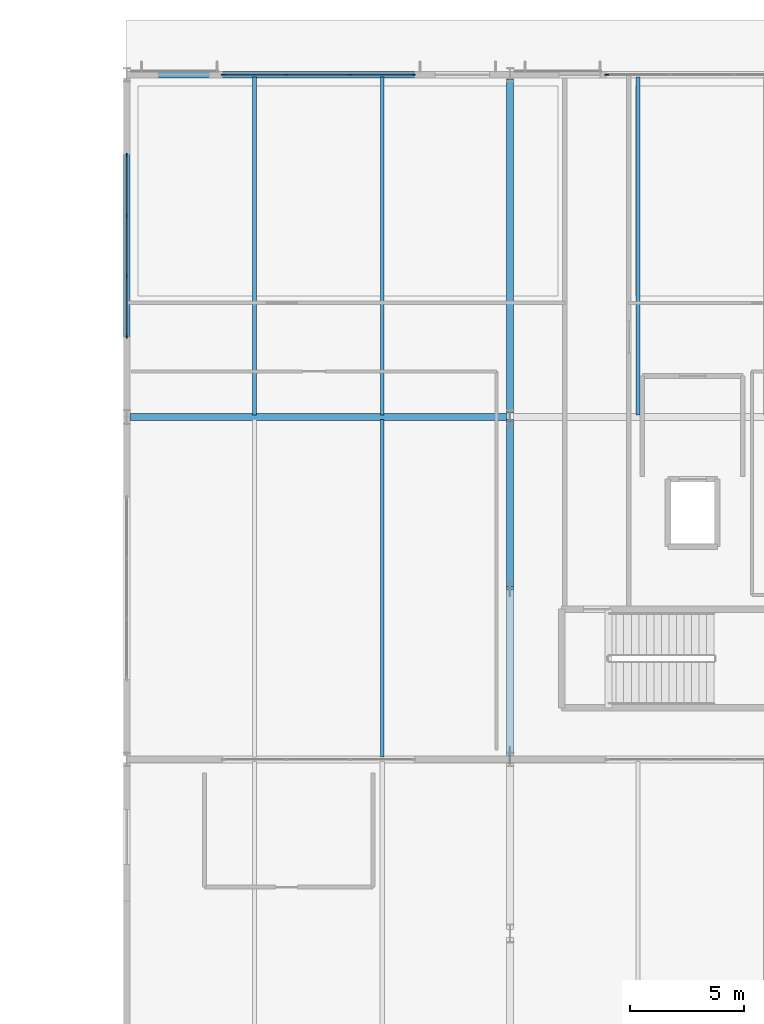
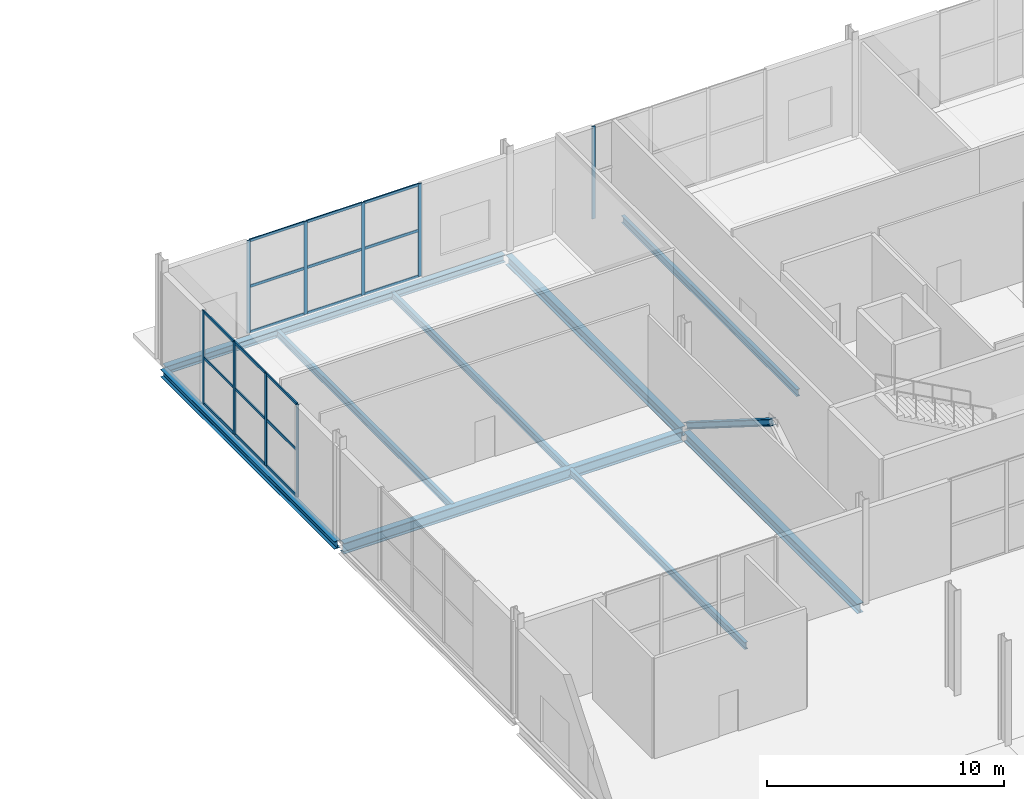
# One storey, part 30 of 87: 28 members, 9 beams, 3 elements without a shape of their own.
"""IFC4 building model written with IfcOpenShell, lengths in metres."""

from ifc_helpers import new_model, si_unit, direction, frame, origin, origin_2d, place, context, subcontext, project, spatial, rectangle, i_section, extrude, material, material_profile, profile_set, type_object, element, aggregate, save


model = new_model("IFC4")

# Units and contexts
model_context = context("Model", 3, precision=1e-05, world=origin(), true_north=direction((0.0, 1.0)))
body_context = subcontext(model_context, "Body", "Model", "MODEL_VIEW")
ifc_project = project(units=[si_unit("LENGTHUNIT", "METRE"), si_unit("AREAUNIT", "SQUARE_METRE"), si_unit("VOLUMEUNIT", "CUBIC_METRE"), si_unit("PLANEANGLEUNIT", "RADIAN"), si_unit("MASSUNIT", "GRAM", prefix="KILO")], contexts=[model_context])

# Site, building, storey
site_placement = place(None, origin())
site = spatial("IfcSite", under=ifc_project, at=site_placement, CompositionType="ELEMENT")
building_placement = place(site_placement, origin())
building = spatial("IfcBuilding", under=site, at=building_placement, Name="Kimbaza Rail Terminus", CompositionType="ELEMENT")
storey_placement = place(building_placement, origin())
storey = spatial("IfcBuildingStorey", under=building, at=storey_placement, Name="L00", CompositionType="ELEMENT", Elevation=0.0)

# Curtain wall, members
ifc_material_1 = material(Name="Anodised aluminium framing and solar low-E glazing", Category="aluminium")
curtain_wall_type = type_object("IfcCurtainWallType", Name="ARC-CW-OP1", PredefinedType="USERDEFINED", material=ifc_material_1)
curtain_wall_1_placement = place(storey_placement, origin())
curtain_wall_1 = element("IfcCurtainWall", 1, at=curtain_wall_1_placement, inside=storey, type_object=curtain_wall_type, Name="Operations North Curtain Wall L00 Bay 1", ObjectType="UNITISED CURTAIN WALL", PredefinedType="USERDEFINED")
ifc_material_2 = material(Name="Anodised architectural aluminium", Category="aluminium")
ifc_material_profile_1 = material_profile(ifc_material_2, rectangle(XDim=0.06201171875, YDim=0.1650390625, at=origin_2d()), Name="MULLION 62x165")
ifc_profile_set_1 = profile_set([ifc_material_profile_1], Name="Anodised architectural aluminium")
member_type_1 = type_object("IfcMemberType", Name="ARC-CWM-05", PredefinedType="MULLION", material=ifc_profile_set_1)
member_1_placement = place(storey_placement, frame((59.430908203125, 133.0, 0.0), z_axis=(0.0, 0.0, 1.0), x_axis=(0.0, 1.0, 0.0)))
member_1 = element("IfcMember", 2, at=member_1_placement, type_object=member_type_1, Name="CW-05 mullion 1", PredefinedType="MULLION", context=body_context, shape_type="SweptSolid", body=[
    extrude(rectangle(XDim=0.06201171875, YDim=0.1650390625, at=origin_2d()), origin(), (0.0, 0.0, 1.0), 4.764892578125),
])
member_2_placement = place(storey_placement, frame((62.199951171875, 133.0, 0.0), z_axis=(0.0, 0.0, 1.0), x_axis=(0.0, 1.0, 0.0)))
member_2 = element("IfcMember", 3, at=member_2_placement, type_object=member_type_1, Name="CW-05 mullion 2", PredefinedType="MULLION", context=body_context, shape_type="SweptSolid", body=[
    extrude(rectangle(XDim=0.06201171875, YDim=0.1650390625, at=origin_2d()), origin(), (0.0, 0.0, 1.0), 4.764892578125),
])
member_3_placement = place(storey_placement, frame((65.0, 133.0, 0.0), z_axis=(0.0, 0.0, 1.0), x_axis=(0.0, 1.0, 0.0)))
member_3 = element("IfcMember", 4, at=member_3_placement, type_object=member_type_1, Name="CW-05 mullion 3", PredefinedType="MULLION", context=body_context, shape_type="SweptSolid", body=[
    extrude(rectangle(XDim=0.06201171875, YDim=0.1650390625, at=origin_2d()), origin(), (0.0, 0.0, 1.0), 4.764892578125),
])
member_4_placement = place(storey_placement, frame((67.76904296875, 133.0, 0.0), z_axis=(0.0, 0.0, 1.0), x_axis=(0.0, 1.0, 0.0)))
member_4 = element("IfcMember", 5, at=member_4_placement, type_object=member_type_1, Name="CW-05 mullion 4", PredefinedType="MULLION", context=body_context, shape_type="SweptSolid", body=[
    extrude(rectangle(XDim=0.06201171875, YDim=0.1650390625, at=origin_2d()), origin(), (0.0, 0.0, 1.0), 4.764892578125),
])

# Curtain wall, member
curtain_wall_2_placement = place(storey_placement, origin())
curtain_wall_2 = element("IfcCurtainWall", 6, at=curtain_wall_2_placement, inside=storey, type_object=curtain_wall_type, Name="Operations North Curtain Wall L00 Bay 2", ObjectType="UNITISED CURTAIN WALL", PredefinedType="USERDEFINED")
member_5_placement = place(storey_placement, frame((76.23095703125, 133.0, 0.0), z_axis=(0.0, 0.0, 1.0), x_axis=(0.0, 1.0, 0.0)))
member_5 = element("IfcMember", 7, at=member_5_placement, type_object=member_type_1, Name="CW-05 mullion 1", PredefinedType="MULLION", context=body_context, shape_type="SweptSolid", body=[
    extrude(rectangle(XDim=0.06201171875, YDim=0.1650390625, at=origin_2d()), origin(), (0.0, 0.0, 1.0), 4.764892578125),
])
aggregate(curtain_wall_2, [member_5])

# Curtain wall, members
curtain_wall_3_placement = place(storey_placement, origin())
curtain_wall_3 = element("IfcCurtainWall", 8, at=curtain_wall_3_placement, inside=storey, type_object=curtain_wall_type, Name="Operations W Curtain Wall L00.2", ObjectType="UNITISED CURTAIN WALL", PredefinedType="USERDEFINED")
member_6_placement = place(storey_placement, frame((55.199951171875, 121.531005859375, 0.0), z_axis=(0.0, 0.0, 1.0), x_axis=(-1.0, 0.0, 0.0)))
member_6 = element("IfcMember", 9, at=member_6_placement, type_object=member_type_1, Name="CW-05 mullion 1", PredefinedType="MULLION", context=body_context, shape_type="SweptSolid", body=[
    extrude(rectangle(XDim=0.06201171875, YDim=0.1650390625, at=origin_2d()), origin(), (0.0, 0.0, 1.0), 4.764892578125),
])
member_7_placement = place(storey_placement, frame((55.199951171875, 124.166748046875, 0.0), z_axis=(0.0, 0.0, 1.0), x_axis=(-1.0, 0.0, 0.0)))
member_7 = element("IfcMember", 10, at=member_7_placement, type_object=member_type_1, Name="CW-05 mullion 2", PredefinedType="MULLION", context=body_context, shape_type="SweptSolid", body=[
    extrude(rectangle(XDim=0.06201171875, YDim=0.1650390625, at=origin_2d()), origin(), (0.0, 0.0, 1.0), 4.764892578125),
])
member_8_placement = place(storey_placement, frame((55.199951171875, 126.833251953125, 0.0), z_axis=(0.0, 0.0, 1.0), x_axis=(-1.0, 0.0, 0.0)))
member_8 = element("IfcMember", 11, at=member_8_placement, type_object=member_type_1, Name="CW-05 mullion 3", PredefinedType="MULLION", context=body_context, shape_type="SweptSolid", body=[
    extrude(rectangle(XDim=0.06201171875, YDim=0.1650390625, at=origin_2d()), origin(), (0.0, 0.0, 1.0), 4.764892578125),
])
member_9_placement = place(storey_placement, frame((55.199951171875, 129.468994140625, 0.0), z_axis=(0.0, 0.0, 1.0), x_axis=(-1.0, 0.0, 0.0)))
member_9 = element("IfcMember", 12, at=member_9_placement, type_object=member_type_1, Name="CW-05 mullion 4", PredefinedType="MULLION", context=body_context, shape_type="SweptSolid", body=[
    extrude(rectangle(XDim=0.06201171875, YDim=0.1650390625, at=origin_2d()), origin(), (0.0, 0.0, 1.0), 4.764892578125),
])

# Member
ifc_material_3 = material(Name="Anodised architectural aluminium", Category="aluminium")
ifc_material_profile_2 = material_profile(ifc_material_3, rectangle(XDim=0.06201171875, YDim=0.135009765625, at=origin_2d()), Name="TRANSOM 62x135")
ifc_profile_set_2 = profile_set([ifc_material_profile_2], Name="Anodised architectural aluminium")
member_type_2 = type_object("IfcMemberType", Name="ARC-CWT-05", PredefinedType="USERDEFINED", material=ifc_profile_set_2)
member_10_placement = place(storey_placement, frame((59.4619140625, 133.0, 0.031005859375), z_axis=(1.0, 0.0, 0.0), x_axis=(0.0, 1.0, 0.0)))
member_10 = element("IfcMember", 13, at=member_10_placement, type_object=member_type_2, Name="CW-05 transom 1.1", ObjectType="TRANSOM", PredefinedType="USERDEFINED", context=body_context, shape_type="SweptSolid", body=[
    extrude(rectangle(XDim=0.06201171875, YDim=0.135009765625, at=origin_2d()), origin(), (0.0, 0.0, 1.0), 2.70703125),
])

member_11_placement = place(storey_placement, frame((59.4619140625, 133.0, 2.382568359375), z_axis=(1.0, 0.0, 0.0), x_axis=(0.0, 1.0, 0.0)))
member_11 = element("IfcMember", 14, at=member_11_placement, type_object=member_type_2, Name="CW-05 transom 1.2", ObjectType="TRANSOM", PredefinedType="USERDEFINED", context=body_context, shape_type="SweptSolid", body=[
    extrude(rectangle(XDim=0.06201171875, YDim=0.135009765625, at=origin_2d()), origin(), (0.0, 0.0, 1.0), 2.70703125),
])

member_12_placement = place(storey_placement, frame((59.4619140625, 133.0, 4.73388671875), z_axis=(1.0, 0.0, 0.0), x_axis=(0.0, 1.0, 0.0)))
member_12 = element("IfcMember", 15, at=member_12_placement, type_object=member_type_2, Name="CW-05 transom 1.3", ObjectType="TRANSOM", PredefinedType="USERDEFINED", context=body_context, shape_type="SweptSolid", body=[
    extrude(rectangle(XDim=0.06201171875, YDim=0.135009765625, at=origin_2d()), origin(), (0.0, 0.0, 1.0), 2.70703125),
])

member_13_placement = place(storey_placement, frame((62.23095703125, 133.0, 0.031005859375), z_axis=(1.0, 0.0, 0.0), x_axis=(0.0, 1.0, 0.0)))
member_13 = element("IfcMember", 16, at=member_13_placement, type_object=member_type_2, Name="CW-05 transom 2.1", ObjectType="TRANSOM", PredefinedType="USERDEFINED", context=body_context, shape_type="SweptSolid", body=[
    extrude(rectangle(XDim=0.06201171875, YDim=0.135009765625, at=origin_2d()), origin(), (0.0, 0.0, 1.0), 2.738037109375),
])

member_14_placement = place(storey_placement, frame((62.23095703125, 133.0, 2.382568359375), z_axis=(1.0, 0.0, 0.0), x_axis=(0.0, 1.0, 0.0)))
member_14 = element("IfcMember", 17, at=member_14_placement, type_object=member_type_2, Name="CW-05 transom 2.2", ObjectType="TRANSOM", PredefinedType="USERDEFINED", context=body_context, shape_type="SweptSolid", body=[
    extrude(rectangle(XDim=0.06201171875, YDim=0.135009765625, at=origin_2d()), origin(), (0.0, 0.0, 1.0), 2.738037109375),
])

member_15_placement = place(storey_placement, frame((62.23095703125, 133.0, 4.73388671875), z_axis=(1.0, 0.0, 0.0), x_axis=(0.0, 1.0, 0.0)))
member_15 = element("IfcMember", 18, at=member_15_placement, type_object=member_type_2, Name="CW-05 transom 2.3", ObjectType="TRANSOM", PredefinedType="USERDEFINED", context=body_context, shape_type="SweptSolid", body=[
    extrude(rectangle(XDim=0.06201171875, YDim=0.135009765625, at=origin_2d()), origin(), (0.0, 0.0, 1.0), 2.738037109375),
])

member_16_placement = place(storey_placement, frame((65.031005859375, 133.0, 0.031005859375), z_axis=(1.0, 0.0, 0.0), x_axis=(0.0, 1.0, 0.0)))
member_16 = element("IfcMember", 19, at=member_16_placement, type_object=member_type_2, Name="CW-05 transom 3.1", ObjectType="TRANSOM", PredefinedType="USERDEFINED", context=body_context, shape_type="SweptSolid", body=[
    extrude(rectangle(XDim=0.06201171875, YDim=0.135009765625, at=origin_2d()), origin(), (0.0, 0.0, 1.0), 2.70703125),
])

member_17_placement = place(storey_placement, frame((65.031005859375, 133.0, 2.382568359375), z_axis=(1.0, 0.0, 0.0), x_axis=(0.0, 1.0, 0.0)))
member_17 = element("IfcMember", 20, at=member_17_placement, type_object=member_type_2, Name="CW-05 transom 3.2", ObjectType="TRANSOM", PredefinedType="USERDEFINED", context=body_context, shape_type="SweptSolid", body=[
    extrude(rectangle(XDim=0.06201171875, YDim=0.135009765625, at=origin_2d()), origin(), (0.0, 0.0, 1.0), 2.70703125),
])

member_18_placement = place(storey_placement, frame((65.031005859375, 133.0, 4.73388671875), z_axis=(1.0, 0.0, 0.0), x_axis=(0.0, 1.0, 0.0)))
member_18 = element("IfcMember", 21, at=member_18_placement, type_object=member_type_2, Name="CW-05 transom 3.3", ObjectType="TRANSOM", PredefinedType="USERDEFINED", context=body_context, shape_type="SweptSolid", body=[
    extrude(rectangle(XDim=0.06201171875, YDim=0.135009765625, at=origin_2d()), origin(), (0.0, 0.0, 1.0), 2.70703125),
])

aggregate(curtain_wall_1, [member_1, member_2, member_3, member_4, member_10, member_11, member_12, member_13, member_14, member_15, member_16, member_17, member_18])

member_19_placement = place(storey_placement, frame((55.199951171875, 121.56201171875, 0.031005859375), z_axis=(0.0, 1.0, 0.0), x_axis=(-1.0, 0.0, 0.0)))
member_19 = element("IfcMember", 22, at=member_19_placement, type_object=member_type_2, Name="CW-05 transom 1.1", ObjectType="TRANSOM", PredefinedType="USERDEFINED", context=body_context, shape_type="SweptSolid", body=[
    extrude(rectangle(XDim=0.06201171875, YDim=0.135009765625, at=origin_2d()), origin(), (0.0, 0.0, 1.0), 2.57373046875),
])

member_20_placement = place(storey_placement, frame((55.199951171875, 121.56201171875, 2.382568359375), z_axis=(0.0, 1.0, 0.0), x_axis=(-1.0, 0.0, 0.0)))
member_20 = element("IfcMember", 23, at=member_20_placement, type_object=member_type_2, Name="CW-05 transom 1.2", ObjectType="TRANSOM", PredefinedType="USERDEFINED", context=body_context, shape_type="SweptSolid", body=[
    extrude(rectangle(XDim=0.06201171875, YDim=0.135009765625, at=origin_2d()), origin(), (0.0, 0.0, 1.0), 2.57373046875),
])

member_21_placement = place(storey_placement, frame((55.199951171875, 121.56201171875, 4.73388671875), z_axis=(0.0, 1.0, 0.0), x_axis=(-1.0, 0.0, 0.0)))
member_21 = element("IfcMember", 24, at=member_21_placement, type_object=member_type_2, Name="CW-05 transom 1.3", ObjectType="TRANSOM", PredefinedType="USERDEFINED", context=body_context, shape_type="SweptSolid", body=[
    extrude(rectangle(XDim=0.06201171875, YDim=0.135009765625, at=origin_2d()), origin(), (0.0, 0.0, 1.0), 2.57373046875),
])

member_22_placement = place(storey_placement, frame((55.199951171875, 124.19775390625, 0.031005859375), z_axis=(0.0, 1.0, 0.0), x_axis=(-1.0, 0.0, 0.0)))
member_22 = element("IfcMember", 25, at=member_22_placement, type_object=member_type_2, Name="CW-05 transom 2.1", ObjectType="TRANSOM", PredefinedType="USERDEFINED", context=body_context, shape_type="SweptSolid", body=[
    extrude(rectangle(XDim=0.06201171875, YDim=0.135009765625, at=origin_2d()), origin(), (0.0, 0.0, 1.0), 2.6044921875),
])

member_23_placement = place(storey_placement, frame((55.199951171875, 124.19775390625, 2.382568359375), z_axis=(0.0, 1.0, 0.0), x_axis=(-1.0, 0.0, 0.0)))
member_23 = element("IfcMember", 26, at=member_23_placement, type_object=member_type_2, Name="CW-05 transom 2.2", ObjectType="TRANSOM", PredefinedType="USERDEFINED", context=body_context, shape_type="SweptSolid", body=[
    extrude(rectangle(XDim=0.06201171875, YDim=0.135009765625, at=origin_2d()), origin(), (0.0, 0.0, 1.0), 2.6044921875),
])

member_24_placement = place(storey_placement, frame((55.199951171875, 124.19775390625, 4.73388671875), z_axis=(0.0, 1.0, 0.0), x_axis=(-1.0, 0.0, 0.0)))
member_24 = element("IfcMember", 27, at=member_24_placement, type_object=member_type_2, Name="CW-05 transom 2.3", ObjectType="TRANSOM", PredefinedType="USERDEFINED", context=body_context, shape_type="SweptSolid", body=[
    extrude(rectangle(XDim=0.06201171875, YDim=0.135009765625, at=origin_2d()), origin(), (0.0, 0.0, 1.0), 2.6044921875),
])

member_25_placement = place(storey_placement, frame((55.199951171875, 126.8642578125, 0.031005859375), z_axis=(0.0, 1.0, 0.0), x_axis=(-1.0, 0.0, 0.0)))
member_25 = element("IfcMember", 28, at=member_25_placement, type_object=member_type_2, Name="CW-05 transom 3.1", ObjectType="TRANSOM", PredefinedType="USERDEFINED", context=body_context, shape_type="SweptSolid", body=[
    extrude(rectangle(XDim=0.06201171875, YDim=0.135009765625, at=origin_2d()), origin(), (0.0, 0.0, 1.0), 2.57373046875),
])

member_26_placement = place(storey_placement, frame((55.199951171875, 126.8642578125, 2.382568359375), z_axis=(0.0, 1.0, 0.0), x_axis=(-1.0, 0.0, 0.0)))
member_26 = element("IfcMember", 29, at=member_26_placement, type_object=member_type_2, Name="CW-05 transom 3.2", ObjectType="TRANSOM", PredefinedType="USERDEFINED", context=body_context, shape_type="SweptSolid", body=[
    extrude(rectangle(XDim=0.06201171875, YDim=0.135009765625, at=origin_2d()), origin(), (0.0, 0.0, 1.0), 2.57373046875),
])

member_27_placement = place(storey_placement, frame((55.199951171875, 126.8642578125, 4.73388671875), z_axis=(0.0, 1.0, 0.0), x_axis=(-1.0, 0.0, 0.0)))
member_27 = element("IfcMember", 30, at=member_27_placement, type_object=member_type_2, Name="CW-05 transom 3.3", ObjectType="TRANSOM", PredefinedType="USERDEFINED", context=body_context, shape_type="SweptSolid", body=[
    extrude(rectangle(XDim=0.06201171875, YDim=0.135009765625, at=origin_2d()), origin(), (0.0, 0.0, 1.0), 2.57373046875),
])

aggregate(curtain_wall_3, [member_6, member_7, member_8, member_9, member_19, member_20, member_21, member_22, member_23, member_24, member_25, member_26, member_27])

# Beams
ifc_material_4 = material(Name="Steel S355", Category="steel")
ifc_material_profile_3 = material_profile(ifc_material_4, i_section(OverallWidth=0.300048828125, OverallDepth=0.389892578125, WebThickness=0.010986328125, FlangeThickness=0.01904296875, FilletRadius=0.027099609375, at=origin_2d()), Name="HEA 400")
ifc_profile_set_3 = profile_set([ifc_material_profile_3], Name="Steel S355")
beam_type_1 = type_object("IfcBeamType", Name="STR-BM-HEA400", PredefinedType="SPANDREL", material=ifc_profile_set_3)
beam_1_placement = place(storey_placement, frame((55.345947265625, 133.0, -0.43505859375), z_axis=(1.0, 0.0, 0.0), x_axis=(0.0, 1.0, 0.0)))
element("IfcBeam", 31, at=beam_1_placement, inside=storey, type_object=beam_type_1, Name="Operations Girder L00 X0-Y2", PredefinedType="SPANDREL", context=body_context, shape_type="SweptSolid", body=[
    extrude(i_section(OverallWidth=0.300048828125, OverallDepth=0.389892578125, WebThickness=0.010986328125, FlangeThickness=0.01904296875, FilletRadius=0.027099609375, at=origin_2d()), origin(), (0.0, 0.0, 1.0), 16.508056640625),
])
beam_2_placement = place(storey_placement, frame((55.199951171875, 118.175048828125, -0.43505859375), z_axis=(0.0, 1.0, 0.0), x_axis=(-1.0, 0.0, 0.0)))
element("IfcBeam", 32, at=beam_2_placement, inside=storey, type_object=beam_type_1, Name="Operations Cross Girder L00 X0-Y1", PredefinedType="SPANDREL", context=body_context, shape_type="SweptSolid", body=[
    extrude(i_section(OverallWidth=0.300048828125, OverallDepth=0.389892578125, WebThickness=0.010986328125, FlangeThickness=0.01904296875, FilletRadius=0.027099609375, at=origin_2d()), origin(), (0.0, 0.0, 1.0), 14.64990234375),
])
ifc_material_5 = material(Name="Steel S355", Category="steel")
ifc_material_profile_4 = material_profile(ifc_material_5, i_section(OverallWidth=0.300048828125, OverallDepth=0.5, WebThickness=0.014404296875, FlangeThickness=0.028076171875, FilletRadius=0.027099609375, at=origin_2d()), Name="HEB 500")
ifc_profile_set_4 = profile_set([ifc_material_profile_4], Name="Steel S355")
beam_type_2 = type_object("IfcBeamType", Name="STR-BM-HEB500", PredefinedType="BEAM", material=ifc_profile_set_4)
for number, where, z_axis, x_axis, name in (
    (33, (72.0, 103.175048828125, -0.489990234375), (0.0, 1.0, 0.0), (-1.0, 0.0, 0.0), "Operations Cross Girder L00 X1-Y0"),
    (34, (72.0, 118.175048828125, -0.489990234375), (0.0, 1.0, 0.0), (-1.0, 0.0, 0.0), "Operations Cross Girder L00 X1-Y1"),
):
    element("IfcBeam", number, at=place(storey_placement, frame(where, z_axis=z_axis, x_axis=x_axis)), inside=storey, type_object=beam_type_2, Name=name, PredefinedType="BEAM", context=body_context, shape_type="SweptSolid", body=[
        extrude(i_section(OverallWidth=0.300048828125, OverallDepth=0.5, WebThickness=0.014404296875, FlangeThickness=0.028076171875, FilletRadius=0.027099609375, at=origin_2d()), origin(), (0.0, 0.0, 1.0), 14.64990234375),
    ])
ifc_material_6 = material(Name="Steel S355", Category="steel")
ifc_material_profile_5 = material_profile(ifc_material_6, i_section(OverallWidth=0.300048828125, OverallDepth=0.550048828125, WebThickness=0.014892578125, FlangeThickness=0.029052734375, FilletRadius=0.027099609375, at=origin_2d()), Name="HEB 550")
ifc_profile_set_5 = profile_set([ifc_material_profile_5], Name="Steel S355")
beam_type_3 = type_object("IfcBeamType", Name="STR-BM-HEB550", PredefinedType="BEAM", material=ifc_profile_set_5)
beam_3_placement = place(storey_placement, frame((55.345947265625, 118.0, -0.514892578125), z_axis=(1.0, 0.0, 0.0), x_axis=(0.0, 1.0, 0.0)))
element("IfcBeam", 35, at=beam_3_placement, inside=storey, type_object=beam_type_3, Name="Operations Girder L00 X0-Y1", PredefinedType="BEAM", context=body_context, shape_type="SweptSolid", body=[
    extrude(i_section(OverallWidth=0.300048828125, OverallDepth=0.550048828125, WebThickness=0.014892578125, FlangeThickness=0.029052734375, FilletRadius=0.027099609375, at=origin_2d()), origin(), (0.0, 0.0, 1.0), 16.508056640625),
])
ifc_material_7 = material(Name="Steel S355", Category="steel")
ifc_material_profile_6 = material_profile(ifc_material_7, i_section(OverallWidth=0.169921875, OverallDepth=0.360107421875, WebThickness=0.008056640625, FlangeThickness=0.0126953125, FilletRadius=0.01806640625, at=origin_2d()), Name="IPE 360")
ifc_profile_set_6 = profile_set([ifc_material_profile_6], Name="Steel S355")
beam_type_4 = type_object("IfcBeamType", Name="STR-BM-IPE360", PredefinedType="JOIST", material=ifc_profile_set_6)
for number, where, z_axis, x_axis, name in (
    (36, (60.800048828125, 118.10009765625, -0.419921875), (0.0, 1.0, 0.0), (-1.0, 0.0, 0.0), "Operations Secondary Joist L00"),
    (37, (66.39990234375, 103.10009765625, -0.419921875), (0.0, 1.0, 0.0), (-1.0, 0.0, 0.0), "Operations Secondary Joist L00"),
    (38, (66.39990234375, 118.10009765625, -0.419921875), (0.0, 1.0, 0.0), (-1.0, 0.0, 0.0), "Operations Secondary Joist L00"),
    (39, (77.60009765625, 118.10009765625, -0.419921875), (0.0, 1.0, 0.0), (-1.0, 0.0, 0.0), "Operations Secondary Joist L00"),
):
    element("IfcBeam", number, at=place(storey_placement, frame(where, z_axis=z_axis, x_axis=x_axis)), inside=storey, type_object=beam_type_4, Name=name, PredefinedType="JOIST", context=body_context, shape_type="SweptSolid", body=[
        extrude(i_section(OverallWidth=0.169921875, OverallDepth=0.360107421875, WebThickness=0.008056640625, FlangeThickness=0.0126953125, FilletRadius=0.01806640625, at=origin_2d()), origin(), (0.0, 0.0, 1.0), 14.7998046875),
    ])

# Member
ifc_material_8 = material(Name="Steel S355", Category="steel")
ifc_material_profile_7 = material_profile(ifc_material_8, i_section(OverallWidth=0.300048828125, OverallDepth=0.300048828125, WebThickness=0.010986328125, FlangeThickness=0.01904296875, FilletRadius=0.027099609375, at=origin_2d()), Name="HEB 300")
ifc_profile_set_7 = profile_set([ifc_material_profile_7], Name="Steel S355")
member_type_3 = type_object("IfcMemberType", Name="STR-MB-HEB300", PredefinedType="BRACE", material=ifc_profile_set_7)
member_28_placement = place(storey_placement, frame((72.0, 117.820068359375, 0.050048828125), z_axis=(0.0, -0.846184293395, 0.53289036547), x_axis=(1.0, 0.0, 0.0)))
element("IfcMember", 40, at=member_28_placement, inside=storey, type_object=member_type_3, Name="Core Chevron Brace 1B", PredefinedType="BRACE", context=body_context, shape_type="SweptSolid", body=[
    extrude(i_section(OverallWidth=0.300048828125, OverallDepth=0.300048828125, WebThickness=0.010986328125, FlangeThickness=0.01904296875, FilletRadius=0.027099609375, at=origin_2d()), origin(), (0.0, 0.0, 1.0), 8.650634765625),
])

save(model, "model.ifc")
